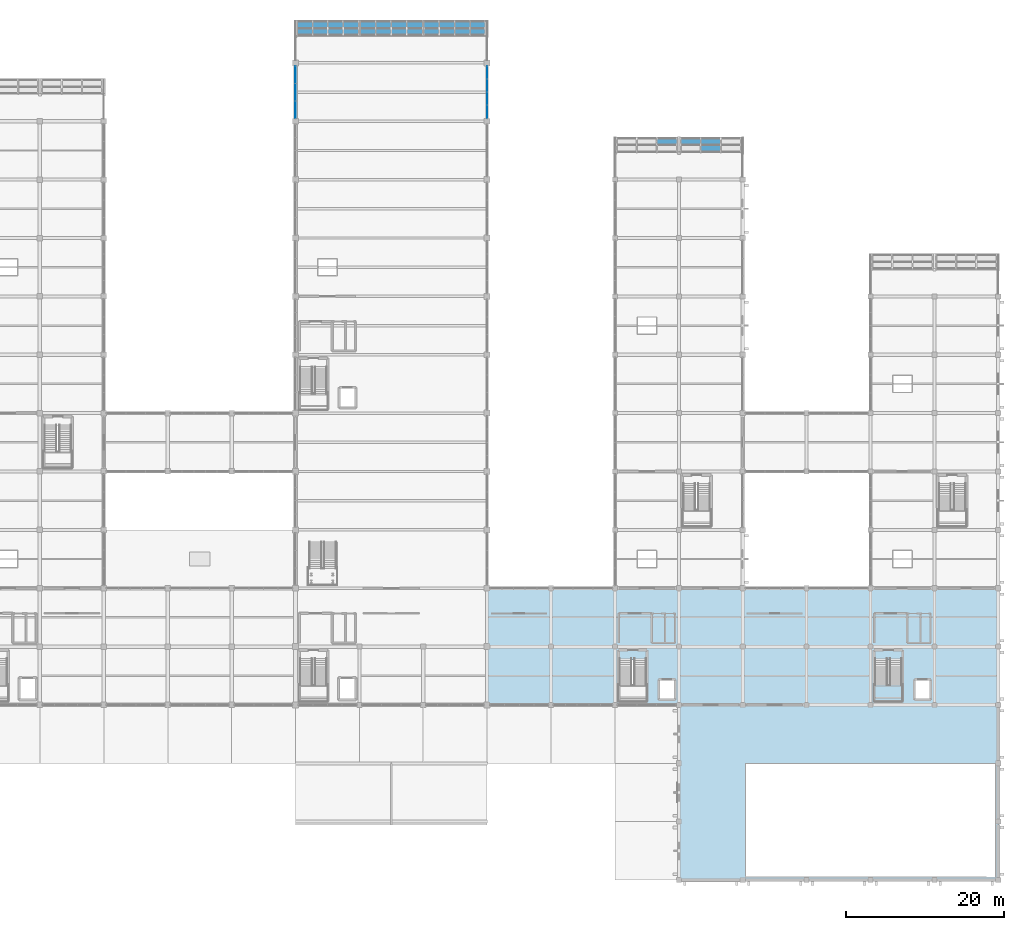
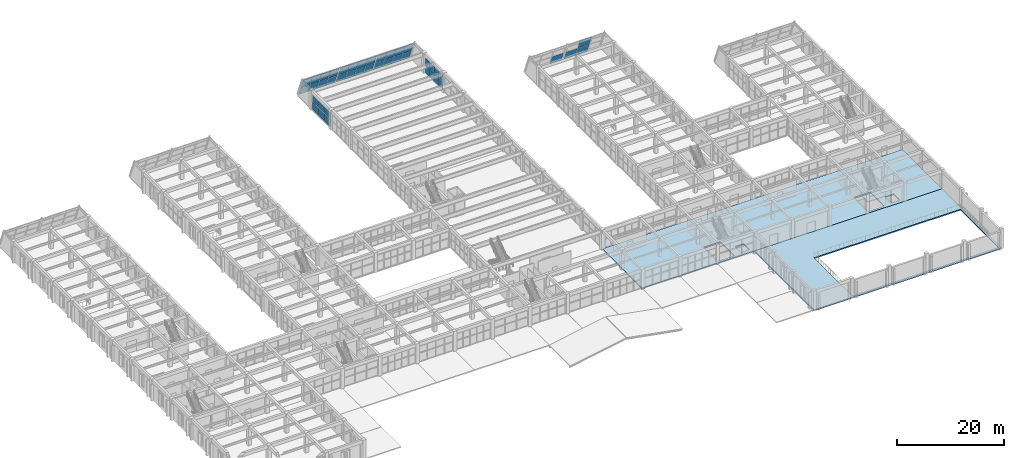
# One storey, part 139 of 161: 42 plates, 3 slabs, 8 elements without a shape of their own.
"""IFC4 building model written with IfcOpenShell, lengths in metres."""

from ifc_helpers import new_model, si_unit, direction, frame, origin, origin_2d, place, context, subcontext, project, spatial, polyline, rectangle, outline, extrude, material, layer, layer_set, type_object, element, aggregate, save


model = new_model("IFC4")

# Units and contexts
model_context = context("Model", 3, precision=1e-05, world=origin(), true_north=direction((0.0, 1.0)))
body_context = subcontext(model_context, "Body", "Model", "MODEL_VIEW")
ifc_project = project(units=[si_unit("LENGTHUNIT", "METRE"), si_unit("AREAUNIT", "SQUARE_METRE"), si_unit("VOLUMEUNIT", "CUBIC_METRE"), si_unit("PLANEANGLEUNIT", "RADIAN"), si_unit("MASSUNIT", "GRAM", prefix="KILO")], contexts=[model_context])

# Site, building, storey
site_placement = place(None, origin())
site = spatial("IfcSite", under=ifc_project, at=site_placement, CompositionType="ELEMENT")
building_placement = place(site_placement, origin())
building = spatial("IfcBuilding", under=site, at=building_placement, Name="Cimatlan Art Gallery", CompositionType="ELEMENT")
storey_placement = place(building_placement, frame((0.0, 0.0, 5.39990234375)))
storey = spatial("IfcBuildingStorey", under=building, at=storey_placement, Name="L01", CompositionType="ELEMENT", Elevation=5.39990234375)

# Curtain wall, plates
ifc_material_1 = material(Name="Anodised bronze unitised curtain wall")
curtain_wall_type_1 = type_object("IfcCurtainWallType", Name="CW-V-06642X03562-B4", PredefinedType="NOTDEFINED", material=ifc_material_1)
curtain_wall_1_placement = place(storey_placement, origin())
curtain_wall_1 = element("IfcCurtainWall", 1, at=curtain_wall_1_placement, inside=storey, type_object=curtain_wall_type_1, Name="CW-L01-11-13-E", PredefinedType="NOTDEFINED")
ifc_material_2 = material(Name="Low-E insulated double glazing", Category="glass")
ifc_layer_1 = layer(ifc_material_2, 0.028076171875)
ifc_layer_set_1 = layer_set([ifc_layer_1], Name="Low-E insulated double glazing")
plate_type_1 = type_object("IfcPlateType", Name="PNL-1603X1383", PredefinedType="CURTAIN_PANEL", material=ifc_layer_set_1)
plate_1_placement = place(storey_placement, frame((99.199951171875, 104.0908203125, 2.05712890625), z_axis=(0.0, 0.0, 1.0), x_axis=(0.0, -1.0, 0.0)))
plate_1 = element("IfcPlate", 2, at=plate_1_placement, type_object=plate_type_1, Name="CW-L01-11-13-E-P12", PredefinedType="CURTAIN_PANEL", context=body_context, shape_type="SweptSolid", body=[
    extrude(rectangle(XDim=1.60302734375, YDim=0.028076171875, at=origin_2d()), origin(), (0.0, 0.0, 1.0), 1.383056640625),
])
plate_2_placement = place(storey_placement, frame((99.199951171875, 102.43017578125, 2.05712890625), z_axis=(0.0, 0.0, 1.0), x_axis=(0.0, -1.0, 0.0)))
plate_2 = element("IfcPlate", 3, at=plate_2_placement, type_object=plate_type_1, Name="CW-L01-11-13-E-P22", PredefinedType="CURTAIN_PANEL", context=body_context, shape_type="SweptSolid", body=[
    extrude(rectangle(XDim=1.60302734375, YDim=0.028076171875, at=origin_2d()), origin(), (0.0, 0.0, 1.0), 1.383056640625),
])
plate_3_placement = place(storey_placement, frame((99.199951171875, 100.769775390625, 2.05712890625), z_axis=(0.0, 0.0, 1.0), x_axis=(0.0, -1.0, 0.0)))
plate_3 = element("IfcPlate", 4, at=plate_3_placement, type_object=plate_type_1, Name="CW-L01-11-13-E-P32", PredefinedType="CURTAIN_PANEL", context=body_context, shape_type="SweptSolid", body=[
    extrude(rectangle(XDim=1.60302734375, YDim=0.028076171875, at=origin_2d()), origin(), (0.0, 0.0, 1.0), 1.383056640625),
])
plate_4_placement = place(storey_placement, frame((99.199951171875, 99.109130859375, 2.05712890625), z_axis=(0.0, 0.0, 1.0), x_axis=(0.0, -1.0, 0.0)))
plate_4 = element("IfcPlate", 5, at=plate_4_placement, type_object=plate_type_1, Name="CW-L01-11-13-E-P42", PredefinedType="CURTAIN_PANEL", context=body_context, shape_type="SweptSolid", body=[
    extrude(rectangle(XDim=1.60302734375, YDim=0.028076171875, at=origin_2d()), origin(), (0.0, 0.0, 1.0), 1.383056640625),
])
ifc_layer_2 = layer(ifc_material_2, 0.028076171875)
ifc_layer_set_2 = layer_set([ifc_layer_2], Name="Low-E insulated double glazing")
plate_type_2 = type_object("IfcPlateType", Name="PNL-1603X1811", PredefinedType="CURTAIN_PANEL", material=ifc_layer_set_2)
plate_5_placement = place(storey_placement, frame((99.199951171875, 104.0908203125, 0.121826171875), z_axis=(0.0, 0.0, 1.0), x_axis=(0.0, -1.0, 0.0)))
plate_5 = element("IfcPlate", 6, at=plate_5_placement, type_object=plate_type_2, Name="CW-L01-11-13-E-P11", PredefinedType="CURTAIN_PANEL", context=body_context, shape_type="SweptSolid", body=[
    extrude(rectangle(XDim=1.60302734375, YDim=0.028076171875, at=origin_2d()), origin(), (0.0, 0.0, 1.0), 1.81103515625),
])
plate_6_placement = place(storey_placement, frame((99.199951171875, 102.43017578125, 0.121826171875), z_axis=(0.0, 0.0, 1.0), x_axis=(0.0, -1.0, 0.0)))
plate_6 = element("IfcPlate", 7, at=plate_6_placement, type_object=plate_type_2, Name="CW-L01-11-13-E-P21", PredefinedType="CURTAIN_PANEL", context=body_context, shape_type="SweptSolid", body=[
    extrude(rectangle(XDim=1.60302734375, YDim=0.028076171875, at=origin_2d()), origin(), (0.0, 0.0, 1.0), 1.81103515625),
])
plate_7_placement = place(storey_placement, frame((99.199951171875, 100.769775390625, 0.121826171875), z_axis=(0.0, 0.0, 1.0), x_axis=(0.0, -1.0, 0.0)))
plate_7 = element("IfcPlate", 8, at=plate_7_placement, type_object=plate_type_2, Name="CW-L01-11-13-E-P31", PredefinedType="CURTAIN_PANEL", context=body_context, shape_type="SweptSolid", body=[
    extrude(rectangle(XDim=1.60302734375, YDim=0.028076171875, at=origin_2d()), origin(), (0.0, 0.0, 1.0), 1.81103515625),
])
plate_8_placement = place(storey_placement, frame((99.199951171875, 99.109130859375, 0.121826171875), z_axis=(0.0, 0.0, 1.0), x_axis=(0.0, -1.0, 0.0)))
plate_8 = element("IfcPlate", 9, at=plate_8_placement, type_object=plate_type_2, Name="CW-L01-11-13-E-P41", PredefinedType="CURTAIN_PANEL", context=body_context, shape_type="SweptSolid", body=[
    extrude(rectangle(XDim=1.60302734375, YDim=0.028076171875, at=origin_2d()), origin(), (0.0, 0.0, 1.0), 1.81103515625),
])
aggregate(curtain_wall_1, [plate_5, plate_1, plate_6, plate_2, plate_7, plate_3, plate_8, plate_4])

curtain_wall_type_2 = type_object("IfcCurtainWallType", Name="CW-V-06642X03562-B3", PredefinedType="NOTDEFINED", material=ifc_material_1)
curtain_wall_2_placement = place(storey_placement, origin())
curtain_wall_2 = element("IfcCurtainWall", 10, at=curtain_wall_2_placement, inside=storey, type_object=curtain_wall_type_2, Name="CW-L01-09-13-W", PredefinedType="NOTDEFINED")
ifc_layer_3 = layer(ifc_material_2, 0.028076171875)
ifc_layer_set_3 = layer_set([ifc_layer_3], Name="Low-E insulated double glazing")
plate_type_3 = type_object("IfcPlateType", Name="PNL-2156X1383", PredefinedType="CURTAIN_PANEL", material=ifc_layer_set_3)
plate_9_placement = place(storey_placement, frame((74.89990234375, 99.385986328125, 2.05712890625), z_axis=(0.0, 0.0, 1.0), x_axis=(0.0, 1.0, 0.0)))
plate_9 = element("IfcPlate", 11, at=plate_9_placement, type_object=plate_type_3, Name="CW-L01-09-13-W-P12", PredefinedType="CURTAIN_PANEL", context=body_context, shape_type="SweptSolid", body=[
    extrude(rectangle(XDim=2.156005859375, YDim=0.028076171875, at=origin_2d()), origin(), (0.0, 0.0, 1.0), 1.383056640625),
])
plate_10_placement = place(storey_placement, frame((74.89990234375, 101.60009765625, 2.05712890625), z_axis=(0.0, 0.0, 1.0), x_axis=(0.0, 1.0, 0.0)))
plate_10 = element("IfcPlate", 12, at=plate_10_placement, type_object=plate_type_3, Name="CW-L01-09-13-W-P22", PredefinedType="CURTAIN_PANEL", context=body_context, shape_type="SweptSolid", body=[
    extrude(rectangle(XDim=2.156005859375, YDim=0.028076171875, at=origin_2d()), origin(), (0.0, 0.0, 1.0), 1.383056640625),
])
plate_11_placement = place(storey_placement, frame((74.89990234375, 103.81396484375, 2.05712890625), z_axis=(0.0, 0.0, 1.0), x_axis=(0.0, 1.0, 0.0)))
plate_11 = element("IfcPlate", 13, at=plate_11_placement, type_object=plate_type_3, Name="CW-L01-09-13-W-P32", PredefinedType="CURTAIN_PANEL", context=body_context, shape_type="SweptSolid", body=[
    extrude(rectangle(XDim=2.156005859375, YDim=0.028076171875, at=origin_2d()), origin(), (0.0, 0.0, 1.0), 1.383056640625),
])
ifc_layer_4 = layer(ifc_material_2, 0.028076171875)
ifc_layer_set_4 = layer_set([ifc_layer_4], Name="Low-E insulated double glazing")
plate_type_4 = type_object("IfcPlateType", Name="PNL-2156X1811", PredefinedType="CURTAIN_PANEL", material=ifc_layer_set_4)
plate_12_placement = place(storey_placement, frame((74.89990234375, 99.385986328125, 0.121826171875), z_axis=(0.0, 0.0, 1.0), x_axis=(0.0, 1.0, 0.0)))
plate_12 = element("IfcPlate", 14, at=plate_12_placement, type_object=plate_type_4, Name="CW-L01-09-13-W-P11", PredefinedType="CURTAIN_PANEL", context=body_context, shape_type="SweptSolid", body=[
    extrude(rectangle(XDim=2.156005859375, YDim=0.028076171875, at=origin_2d()), origin(), (0.0, 0.0, 1.0), 1.81103515625),
])
plate_13_placement = place(storey_placement, frame((74.89990234375, 101.60009765625, 0.121826171875), z_axis=(0.0, 0.0, 1.0), x_axis=(0.0, 1.0, 0.0)))
plate_13 = element("IfcPlate", 15, at=plate_13_placement, type_object=plate_type_4, Name="CW-L01-09-13-W-P21", PredefinedType="CURTAIN_PANEL", context=body_context, shape_type="SweptSolid", body=[
    extrude(rectangle(XDim=2.156005859375, YDim=0.028076171875, at=origin_2d()), origin(), (0.0, 0.0, 1.0), 1.81103515625),
])
plate_14_placement = place(storey_placement, frame((74.89990234375, 103.81396484375, 0.121826171875), z_axis=(0.0, 0.0, 1.0), x_axis=(0.0, 1.0, 0.0)))
plate_14 = element("IfcPlate", 16, at=plate_14_placement, type_object=plate_type_4, Name="CW-L01-09-13-W-P31", PredefinedType="CURTAIN_PANEL", context=body_context, shape_type="SweptSolid", body=[
    extrude(rectangle(XDim=2.156005859375, YDim=0.028076171875, at=origin_2d()), origin(), (0.0, 0.0, 1.0), 1.81103515625),
])
aggregate(curtain_wall_2, [plate_12, plate_9, plate_13, plate_10, plate_14, plate_11])

ifc_material_3 = material(Name="Raked steel-and-bronze lancet curtain wall", Category="steel")
curtain_wall_type_3 = type_object("IfcCurtainWallType", Name="CW-RAK-07790X04901-B4", PredefinedType="NOTDEFINED", material=ifc_material_3)
curtain_wall_3_placement = place(storey_placement, origin())
curtain_wall_3 = element("IfcCurtainWall", 17, at=curtain_wall_3_placement, inside=storey, type_object=curtain_wall_type_3, Name="CW-PROW-L01-B3-9", PredefinedType="NOTDEFINED")
ifc_material_4 = material(Name="Low-E laminated skylight safety glazing", Category="glass")
ifc_layer_5 = layer(ifc_material_4, 0.031982421875)
ifc_layer_set_5 = layer_set([ifc_layer_5], Name="Low-E laminated skylight safety glazing")
plate_type_5 = type_object("IfcPlateType", Name="PNL-RAK-1907X2352", PredefinedType="CURTAIN_PANEL", material=ifc_layer_set_5)
plate_15_placement = place(storey_placement, frame((75.140380859375, 110.5458984375, 0.068603515625), z_axis=(0.0, 0.930431985876, 0.366464622658), x_axis=(1.0, 0.0, 0.0)))
plate_15 = element("IfcPlate", 18, at=plate_15_placement, type_object=plate_type_5, Name="CW-PROW-L01-B3-9-P11", PredefinedType="CURTAIN_PANEL", context=body_context, shape_type="SweptSolid", body=[
    extrude(outline(polyline([(0.0, 0.0), (1.906982421875, 0.0), (1.906982421875, -2.352370443354196), (0.0, -2.352370443354196), (0.0, 0.0)])), origin(), (0.0, 0.0, -1.0), 0.031982421875),
])
plate_16_placement = place(storey_placement, frame((75.140380859375, 109.665771484375, 2.302978515625), z_axis=(0.0, 0.930431985876, 0.366464622658), x_axis=(1.0, 0.0, 0.0)))
plate_16 = element("IfcPlate", 19, at=plate_16_placement, type_object=plate_type_5, Name="CW-PROW-L01-B3-9-P12", PredefinedType="CURTAIN_PANEL", context=body_context, shape_type="SweptSolid", body=[
    extrude(outline(polyline([(0.0, 0.0), (1.906982421875, 0.0), (1.906982421875, -2.352370443354196), (0.0, -2.352370443354196), (0.0, 0.0)])), origin(), (0.0, 0.0, -1.0), 0.031982421875),
])
plate_17_placement = place(storey_placement, frame((77.087890625, 110.5458984375, 0.068603515625), z_axis=(0.0, 0.930431985876, 0.366464622658), x_axis=(1.0, 0.0, 0.0)))
plate_17 = element("IfcPlate", 20, at=plate_17_placement, type_object=plate_type_5, Name="CW-PROW-L01-B3-9-P21", PredefinedType="CURTAIN_PANEL", context=body_context, shape_type="SweptSolid", body=[
    extrude(outline(polyline([(0.0, 0.0), (1.906982421875, 0.0), (1.906982421875, -2.352370443354196), (0.0, -2.352370443354196), (0.0, 0.0)])), origin(), (0.0, 0.0, -1.0), 0.031982421875),
])
plate_18_placement = place(storey_placement, frame((77.087890625, 109.665771484375, 2.302978515625), z_axis=(0.0, 0.930431985876, 0.366464622658), x_axis=(1.0, 0.0, 0.0)))
plate_18 = element("IfcPlate", 21, at=plate_18_placement, type_object=plate_type_5, Name="CW-PROW-L01-B3-9-P22", PredefinedType="CURTAIN_PANEL", context=body_context, shape_type="SweptSolid", body=[
    extrude(outline(polyline([(0.0, 0.0), (1.906982421875, 0.0), (1.906982421875, -2.352370443354196), (0.0, -2.352370443354196), (0.0, 0.0)])), origin(), (0.0, 0.0, -1.0), 0.031982421875),
])
plate_19_placement = place(storey_placement, frame((79.035400390625, 110.5458984375, 0.068603515625), z_axis=(0.0, 0.930431985876, 0.366464622658), x_axis=(1.0, 0.0, 0.0)))
plate_19 = element("IfcPlate", 22, at=plate_19_placement, type_object=plate_type_5, Name="CW-PROW-L01-B3-9-P31", PredefinedType="CURTAIN_PANEL", context=body_context, shape_type="SweptSolid", body=[
    extrude(outline(polyline([(0.0, 0.0), (1.906982421875, 0.0), (1.906982421875, -2.352370443354196), (0.0, -2.352370443354196), (0.0, 0.0)])), origin(), (0.0, 0.0, -1.0), 0.031982421875),
])
plate_20_placement = place(storey_placement, frame((79.035400390625, 109.665771484375, 2.302978515625), z_axis=(0.0, 0.930431985876, 0.366464622658), x_axis=(1.0, 0.0, 0.0)))
plate_20 = element("IfcPlate", 23, at=plate_20_placement, type_object=plate_type_5, Name="CW-PROW-L01-B3-9-P32", PredefinedType="CURTAIN_PANEL", context=body_context, shape_type="SweptSolid", body=[
    extrude(outline(polyline([(0.0, 0.0), (1.906982421875, 0.0), (1.906982421875, -2.352370443354196), (0.0, -2.352370443354196), (0.0, 0.0)])), origin(), (0.0, 0.0, -1.0), 0.031982421875),
])
plate_21_placement = place(storey_placement, frame((80.98291015625, 110.5458984375, 0.068603515625), z_axis=(0.0, 0.930431985876, 0.366464622658), x_axis=(1.0, 0.0, 0.0)))
plate_21 = element("IfcPlate", 24, at=plate_21_placement, type_object=plate_type_5, Name="CW-PROW-L01-B3-9-P41", PredefinedType="CURTAIN_PANEL", context=body_context, shape_type="SweptSolid", body=[
    extrude(outline(polyline([(0.0, 0.0), (1.906982421875, 0.0), (1.906982421875, -2.352370443354196), (0.0, -2.352370443354196), (0.0, 0.0)])), origin(), (0.0, 0.0, -1.0), 0.031982421875),
])
plate_22_placement = place(storey_placement, frame((80.98291015625, 109.665771484375, 2.302978515625), z_axis=(0.0, 0.930431985876, 0.366464622658), x_axis=(1.0, 0.0, 0.0)))
plate_22 = element("IfcPlate", 25, at=plate_22_placement, type_object=plate_type_5, Name="CW-PROW-L01-B3-9-P42", PredefinedType="CURTAIN_PANEL", context=body_context, shape_type="SweptSolid", body=[
    extrude(outline(polyline([(0.0, 0.0), (1.906982421875, 0.0), (1.906982421875, -2.352370443354196), (0.0, -2.352370443354196), (0.0, 0.0)])), origin(), (0.0, 0.0, -1.0), 0.031982421875),
])
aggregate(curtain_wall_3, [plate_15, plate_16, plate_17, plate_18, plate_19, plate_20, plate_21, plate_22])

curtain_wall_4_placement = place(storey_placement, origin())
curtain_wall_4 = element("IfcCurtainWall", 26, at=curtain_wall_4_placement, inside=storey, type_object=curtain_wall_type_3, Name="CW-PROW-L01-B3-11", PredefinedType="NOTDEFINED")
plate_23_placement = place(storey_placement, frame((91.210205078125, 110.5458984375, 0.068603515625), z_axis=(0.0, 0.930431985876, 0.366464622658), x_axis=(1.0, 0.0, 0.0)))
plate_23 = element("IfcPlate", 27, at=plate_23_placement, type_object=plate_type_5, Name="CW-PROW-L01-B3-11-P11", PredefinedType="CURTAIN_PANEL", context=body_context, shape_type="SweptSolid", body=[
    extrude(outline(polyline([(0.0, 0.0), (1.906982421875, 0.0), (1.906982421875, -2.352370443354196), (0.0, -2.352370443354196), (0.0, 0.0)])), origin(), (0.0, 0.0, -1.0), 0.031982421875),
])
plate_24_placement = place(storey_placement, frame((91.210205078125, 109.665771484375, 2.302978515625), z_axis=(0.0, 0.930431985876, 0.366464622658), x_axis=(1.0, 0.0, 0.0)))
plate_24 = element("IfcPlate", 28, at=plate_24_placement, type_object=plate_type_5, Name="CW-PROW-L01-B3-11-P12", PredefinedType="CURTAIN_PANEL", context=body_context, shape_type="SweptSolid", body=[
    extrude(outline(polyline([(0.0, 0.0), (1.906982421875, 0.0), (1.906982421875, -2.352370443354196), (0.0, -2.352370443354196), (0.0, 0.0)])), origin(), (0.0, 0.0, -1.0), 0.031982421875),
])
plate_25_placement = place(storey_placement, frame((93.15771484375, 110.5458984375, 0.068603515625), z_axis=(0.0, 0.930431985876, 0.366464622658), x_axis=(1.0, 0.0, 0.0)))
plate_25 = element("IfcPlate", 29, at=plate_25_placement, type_object=plate_type_5, Name="CW-PROW-L01-B3-11-P21", PredefinedType="CURTAIN_PANEL", context=body_context, shape_type="SweptSolid", body=[
    extrude(outline(polyline([(0.0, 0.0), (1.906982421875, 0.0), (1.906982421875, -2.352370443354196), (0.0, -2.352370443354196), (0.0, 0.0)])), origin(), (0.0, 0.0, -1.0), 0.031982421875),
])
plate_26_placement = place(storey_placement, frame((93.15771484375, 109.665771484375, 2.302978515625), z_axis=(0.0, 0.930431985876, 0.366464622658), x_axis=(1.0, 0.0, 0.0)))
plate_26 = element("IfcPlate", 30, at=plate_26_placement, type_object=plate_type_5, Name="CW-PROW-L01-B3-11-P22", PredefinedType="CURTAIN_PANEL", context=body_context, shape_type="SweptSolid", body=[
    extrude(outline(polyline([(0.0, 0.0), (1.906982421875, 0.0), (1.906982421875, -2.352370443354196), (0.0, -2.352370443354196), (0.0, 0.0)])), origin(), (0.0, 0.0, -1.0), 0.031982421875),
])
plate_27_placement = place(storey_placement, frame((95.105224609375, 110.5458984375, 0.068603515625), z_axis=(0.0, 0.930431985876, 0.366464622658), x_axis=(1.0, 0.0, 0.0)))
plate_27 = element("IfcPlate", 31, at=plate_27_placement, type_object=plate_type_5, Name="CW-PROW-L01-B3-11-P31", PredefinedType="CURTAIN_PANEL", context=body_context, shape_type="SweptSolid", body=[
    extrude(outline(polyline([(0.0, 0.0), (1.906982421875, 0.0), (1.906982421875, -2.352370443354196), (0.0, -2.352370443354196), (0.0, 0.0)])), origin(), (0.0, 0.0, -1.0), 0.031982421875),
])
plate_28_placement = place(storey_placement, frame((95.105224609375, 109.665771484375, 2.302978515625), z_axis=(0.0, 0.930431985876, 0.366464622658), x_axis=(1.0, 0.0, 0.0)))
plate_28 = element("IfcPlate", 32, at=plate_28_placement, type_object=plate_type_5, Name="CW-PROW-L01-B3-11-P32", PredefinedType="CURTAIN_PANEL", context=body_context, shape_type="SweptSolid", body=[
    extrude(outline(polyline([(0.0, 0.0), (1.906982421875, 0.0), (1.906982421875, -2.352370443354196), (0.0, -2.352370443354196), (0.0, 0.0)])), origin(), (0.0, 0.0, -1.0), 0.031982421875),
])
plate_29_placement = place(storey_placement, frame((97.052734375, 110.5458984375, 0.068603515625), z_axis=(0.0, 0.930431985876, 0.366464622658), x_axis=(1.0, 0.0, 0.0)))
plate_29 = element("IfcPlate", 33, at=plate_29_placement, type_object=plate_type_5, Name="CW-PROW-L01-B3-11-P41", PredefinedType="CURTAIN_PANEL", context=body_context, shape_type="SweptSolid", body=[
    extrude(outline(polyline([(0.0, 0.0), (1.906982421875, 0.0), (1.906982421875, -2.352370443354196), (0.0, -2.352370443354196), (0.0, 0.0)])), origin(), (0.0, 0.0, -1.0), 0.031982421875),
])
plate_30_placement = place(storey_placement, frame((97.052734375, 109.665771484375, 2.302978515625), z_axis=(0.0, 0.930431985876, 0.366464622658), x_axis=(1.0, 0.0, 0.0)))
plate_30 = element("IfcPlate", 34, at=plate_30_placement, type_object=plate_type_5, Name="CW-PROW-L01-B3-11-P42", PredefinedType="CURTAIN_PANEL", context=body_context, shape_type="SweptSolid", body=[
    extrude(outline(polyline([(0.0, 0.0), (1.906982421875, 0.0), (1.906982421875, -2.352370443354196), (0.0, -2.352370443354196), (0.0, 0.0)])), origin(), (0.0, 0.0, -1.0), 0.031982421875),
])
aggregate(curtain_wall_4, [plate_23, plate_24, plate_25, plate_26, plate_27, plate_28, plate_29, plate_30])

curtain_wall_type_4 = type_object("IfcCurtainWallType", Name="CW-RAK-07920X04901-B4", PredefinedType="NOTDEFINED", material=ifc_material_3)
curtain_wall_5_placement = place(storey_placement, origin())
curtain_wall_5 = element("IfcCurtainWall", 35, at=curtain_wall_5_placement, inside=storey, type_object=curtain_wall_type_4, Name="CW-PROW-L01-B3-10", PredefinedType="NOTDEFINED")
ifc_layer_6 = layer(ifc_material_4, 0.031982421875)
ifc_layer_set_6 = layer_set([ifc_layer_6], Name="Low-E laminated skylight safety glazing")
plate_type_6 = type_object("IfcPlateType", Name="PNL-RAK-1940X2352", PredefinedType="CURTAIN_PANEL", material=ifc_layer_set_6)
plate_31_placement = place(storey_placement, frame((83.110107421875, 110.5458984375, 0.068603515625), z_axis=(0.0, 0.930431985876, 0.366464622658), x_axis=(1.0, 0.0, 0.0)))
plate_31 = element("IfcPlate", 36, at=plate_31_placement, type_object=plate_type_6, Name="CW-PROW-L01-B3-10-P11", PredefinedType="CURTAIN_PANEL", context=body_context, shape_type="SweptSolid", body=[
    extrude(outline(polyline([(0.0, 0.0), (1.93994140625, 0.0), (1.93994140625, -2.3523704433541965), (0.0, -2.3523704433541965), (0.0, 0.0)])), origin(), (0.0, 0.0, -1.0), 0.031982421875),
])
plate_32_placement = place(storey_placement, frame((83.110107421875, 109.665771484375, 2.302978515625), z_axis=(0.0, 0.930431985876, 0.366464622658), x_axis=(1.0, 0.0, 0.0)))
plate_32 = element("IfcPlate", 37, at=plate_32_placement, type_object=plate_type_6, Name="CW-PROW-L01-B3-10-P12", PredefinedType="CURTAIN_PANEL", context=body_context, shape_type="SweptSolid", body=[
    extrude(outline(polyline([(0.0, 0.0), (1.93994140625, 0.0), (1.93994140625, -2.3523704433541965), (0.0, -2.3523704433541965), (0.0, 0.0)])), origin(), (0.0, 0.0, -1.0), 0.031982421875),
])
plate_33_placement = place(storey_placement, frame((85.090087890625, 110.5458984375, 0.068603515625), z_axis=(0.0, 0.930431985876, 0.366464622658), x_axis=(1.0, 0.0, 0.0)))
plate_33 = element("IfcPlate", 38, at=plate_33_placement, type_object=plate_type_6, Name="CW-PROW-L01-B3-10-P21", PredefinedType="CURTAIN_PANEL", context=body_context, shape_type="SweptSolid", body=[
    extrude(outline(polyline([(0.0, 0.0), (1.93994140625, 0.0), (1.93994140625, -2.3523704433541965), (0.0, -2.3523704433541965), (0.0, 0.0)])), origin(), (0.0, 0.0, -1.0), 0.031982421875),
])
plate_34_placement = place(storey_placement, frame((85.090087890625, 109.665771484375, 2.302978515625), z_axis=(0.0, 0.930431985876, 0.366464622658), x_axis=(1.0, 0.0, 0.0)))
plate_34 = element("IfcPlate", 39, at=plate_34_placement, type_object=plate_type_6, Name="CW-PROW-L01-B3-10-P22", PredefinedType="CURTAIN_PANEL", context=body_context, shape_type="SweptSolid", body=[
    extrude(outline(polyline([(0.0, 0.0), (1.93994140625, 0.0), (1.93994140625, -2.3523704433541965), (0.0, -2.3523704433541965), (0.0, 0.0)])), origin(), (0.0, 0.0, -1.0), 0.031982421875),
])
plate_35_placement = place(storey_placement, frame((87.070068359375, 110.5458984375, 0.068603515625), z_axis=(0.0, 0.930431985876, 0.366464622658), x_axis=(1.0, 0.0, 0.0)))
plate_35 = element("IfcPlate", 40, at=plate_35_placement, type_object=plate_type_6, Name="CW-PROW-L01-B3-10-P31", PredefinedType="CURTAIN_PANEL", context=body_context, shape_type="SweptSolid", body=[
    extrude(outline(polyline([(0.0, 0.0), (1.93994140625, 0.0), (1.93994140625, -2.3523704433541965), (0.0, -2.3523704433541965), (0.0, 0.0)])), origin(), (0.0, 0.0, -1.0), 0.031982421875),
])
plate_36_placement = place(storey_placement, frame((87.070068359375, 109.665771484375, 2.302978515625), z_axis=(0.0, 0.930431985876, 0.366464622658), x_axis=(1.0, 0.0, 0.0)))
plate_36 = element("IfcPlate", 41, at=plate_36_placement, type_object=plate_type_6, Name="CW-PROW-L01-B3-10-P32", PredefinedType="CURTAIN_PANEL", context=body_context, shape_type="SweptSolid", body=[
    extrude(outline(polyline([(0.0, 0.0), (1.93994140625, 0.0), (1.93994140625, -2.3523704433541965), (0.0, -2.3523704433541965), (0.0, 0.0)])), origin(), (0.0, 0.0, -1.0), 0.031982421875),
])
plate_37_placement = place(storey_placement, frame((89.050048828125, 110.5458984375, 0.068603515625), z_axis=(0.0, 0.930431985876, 0.366464622658), x_axis=(1.0, 0.0, 0.0)))
plate_37 = element("IfcPlate", 42, at=plate_37_placement, type_object=plate_type_6, Name="CW-PROW-L01-B3-10-P41", PredefinedType="CURTAIN_PANEL", context=body_context, shape_type="SweptSolid", body=[
    extrude(outline(polyline([(0.0, 0.0), (1.93994140625, 0.0), (1.93994140625, -2.3523704433541965), (0.0, -2.3523704433541965), (0.0, 0.0)])), origin(), (0.0, 0.0, -1.0), 0.031982421875),
])
plate_38_placement = place(storey_placement, frame((89.050048828125, 109.665771484375, 2.302978515625), z_axis=(0.0, 0.930431985876, 0.366464622658), x_axis=(1.0, 0.0, 0.0)))
plate_38 = element("IfcPlate", 43, at=plate_38_placement, type_object=plate_type_6, Name="CW-PROW-L01-B3-10-P42", PredefinedType="CURTAIN_PANEL", context=body_context, shape_type="SweptSolid", body=[
    extrude(outline(polyline([(0.0, 0.0), (1.93994140625, 0.0), (1.93994140625, -2.3523704433541965), (0.0, -2.3523704433541965), (0.0, 0.0)])), origin(), (0.0, 0.0, -1.0), 0.031982421875),
])
aggregate(curtain_wall_5, [plate_31, plate_32, plate_33, plate_34, plate_35, plate_36, plate_37, plate_38])

# Curtain wall, plate
curtain_wall_type_5 = type_object("IfcCurtainWallType", Name="CW-RAK-07660X04901-B3", PredefinedType="NOTDEFINED", material=ifc_material_3)
curtain_wall_6_placement = place(storey_placement, origin())
curtain_wall_6 = element("IfcCurtainWall", 44, at=curtain_wall_6_placement, inside=storey, type_object=curtain_wall_type_5, Name="CW-PROW-L01-B4-14", PredefinedType="NOTDEFINED")
ifc_layer_7 = layer(ifc_material_4, 0.031982421875)
ifc_layer_set_7 = layer_set([ifc_layer_7], Name="Low-E laminated skylight safety glazing")
plate_type_7 = type_object("IfcPlateType", Name="PNL-RAK-2513X2352", PredefinedType="CURTAIN_PANEL", material=ifc_layer_set_7)
plate_39_placement = place(storey_placement, frame((120.746826171875, 95.74609375, 0.068603515625), z_axis=(0.0, 0.930396595291, 0.366554464536), x_axis=(1.0, 0.0, 0.0)))
plate_39 = element("IfcPlate", 45, at=plate_39_placement, type_object=plate_type_7, Name="CW-PROW-L01-B4-14-P31", PredefinedType="CURTAIN_PANEL", context=body_context, shape_type="SweptSolid", body=[
    extrude(outline(polyline([(0.0, 0.0), (2.512939453125, 0.0), (2.512939453125, -2.352459923223447), (0.0, -2.352459923223447), (0.0, 0.0)])), origin(), (0.0, 0.0, -1.0), 0.031982421875),
])
aggregate(curtain_wall_6, [plate_39])

# Curtain wall, plates
curtain_wall_7_placement = place(storey_placement, origin())
curtain_wall_7 = element("IfcCurtainWall", 46, at=curtain_wall_7_placement, inside=storey, type_object=curtain_wall_type_5, Name="CW-PROW-L01-B4-15", PredefinedType="NOTDEFINED")
plate_40_placement = place(storey_placement, frame((123.740234375, 95.74609375, 0.068603515625), z_axis=(0.0, 0.930396595291, 0.366554464536), x_axis=(1.0, 0.0, 0.0)))
plate_40 = element("IfcPlate", 47, at=plate_40_placement, type_object=plate_type_7, Name="CW-PROW-L01-B4-15-P11", PredefinedType="CURTAIN_PANEL", context=body_context, shape_type="SweptSolid", body=[
    extrude(outline(polyline([(0.0, 0.0), (2.512939453125, 0.0), (2.512939453125, -2.352459923223447), (0.0, -2.352459923223447), (0.0, 0.0)])), origin(), (0.0, 0.0, -1.0), 0.031982421875),
])
plate_41_placement = place(storey_placement, frame((126.29345703125, 95.74609375, 0.068603515625), z_axis=(0.0, 0.930396595291, 0.366554464536), x_axis=(1.0, 0.0, 0.0)))
plate_41 = element("IfcPlate", 48, at=plate_41_placement, type_object=plate_type_7, Name="CW-PROW-L01-B4-15-P21", PredefinedType="CURTAIN_PANEL", context=body_context, shape_type="SweptSolid", body=[
    extrude(outline(polyline([(0.0, 0.0), (2.512939453125, 0.0), (2.512939453125, -2.352459923223447), (0.0, -2.352459923223447), (0.0, 0.0)])), origin(), (0.0, 0.0, -1.0), 0.031982421875),
])
plate_42_placement = place(storey_placement, frame((126.29345703125, 94.86572265625, 2.302978515625), z_axis=(0.0, 0.930431985876, 0.366464622658), x_axis=(1.0, 0.0, 0.0)))
plate_42 = element("IfcPlate", 49, at=plate_42_placement, type_object=plate_type_7, Name="CW-PROW-L01-B4-15-P22", PredefinedType="CURTAIN_PANEL", context=body_context, shape_type="SweptSolid", body=[
    extrude(outline(polyline([(0.0, 0.0), (2.512939453125, 0.0), (2.512939453125, -2.3523704433541965), (0.0, -2.3523704433541965), (0.0, 0.0)])), origin(), (0.0, 0.0, -1.0), 0.031982421875),
])
aggregate(curtain_wall_7, [plate_40, plate_41, plate_42])

# Slabs
ifc_material_5 = material(Name="Concrete C35/45", Category="concrete")
ifc_layer_8 = layer(ifc_material_5, 0.264892578125)
ifc_layer_set_8 = layer_set([ifc_layer_8], Name="Concrete C35/45")
slab_type_1 = type_object("IfcSlabType", Name="SLB-FLR-L01", PredefinedType="FLOOR", material=ifc_layer_set_8)
slab_1_placement = place(storey_placement, frame((0.0, 0.0, -0.264892578125)))
element("IfcSlab", 50, at=slab_1_placement, inside=storey, type_object=slab_type_1, Name="SLB-L01-SPE", PredefinedType="FLOOR", context=body_context, shape_type="SweptSolid", body=[
    extrude(outline(polyline([(99.199951171875, 23.89990234375), (164.0, 23.89990234375), (164.0, 38.699951171875), (99.199951171875, 38.699951171875), (99.199951171875, 23.89990234375)]), holes=[polyline([(115.89990234375, 24.419921875), (119.419921875, 24.419921875), (119.419921875, 29.64990234375), (115.89990234375, 29.64990234375), (115.89990234375, 24.419921875)]), polyline([(121.110107421875, 24.7099609375), (122.889892578125, 24.7099609375), (122.889892578125, 26.989990234375), (121.110107421875, 26.989990234375), (121.110107421875, 24.7099609375)]), polyline([(148.300048828125, 24.419921875), (151.820068359375, 24.419921875), (151.820068359375, 29.64990234375), (148.300048828125, 29.64990234375), (148.300048828125, 24.419921875)]), polyline([(153.510009765625, 24.7099609375), (155.2900390625, 24.7099609375), (155.2900390625, 26.989990234375), (153.510009765625, 26.989990234375), (153.510009765625, 24.7099609375)])]), origin(), (0.0, 0.0, 1.0), 0.264892578125),
])
slab_2_placement = place(storey_placement, frame((0.0, 0.0, -0.264892578125)))
element("IfcSlab", 51, at=slab_2_placement, inside=storey, type_object=slab_type_1, Name="SLB-L01-AUD", PredefinedType="FLOOR", context=body_context, shape_type="SweptSolid", body=[
    extrude(outline(polyline([(123.5, 1.699951171875), (164.0, 1.699951171875), (164.0, 23.89990234375), (123.5, 23.89990234375), (123.5, 1.699951171875)]), holes=[polyline([(132.0, 2.10009765625), (163.60009765625, 2.10009765625), (163.60009765625, 16.39990234375), (132.0, 16.39990234375), (132.0, 2.10009765625)])]), origin(), (0.0, 0.0, 1.0), 0.264892578125),
])

# Stair, slab
stair_type = type_object("IfcStairType", Name="STR-HALF-155-480", PredefinedType="HALF_TURN_STAIR", material=ifc_material_5)
stair_placement = place(storey_placement, origin())
stair = element("IfcStair", 52, at=stair_placement, inside=storey, type_object=stair_type, Name="STR-C5-L01", PredefinedType="HALF_TURN_STAIR")
ifc_layer_9 = layer(ifc_material_5, 0.219970703125)
ifc_layer_set_9 = layer_set([ifc_layer_9], Name="Concrete C35/45")
slab_type_2 = type_object("IfcSlabType", Name="SLB-STAIR-LAND-220", PredefinedType="LANDING", material=ifc_layer_set_9)
slab_3_placement = place(storey_placement, frame((0.0, 0.0, 2.18017578125)))
slab_3 = element("IfcSlab", 53, at=slab_3_placement, type_object=slab_type_2, Name="STR-C5-L01-LND", PredefinedType="LANDING", context=body_context, shape_type="SweptSolid", body=[
    extrude(outline(polyline([(148.14990234375, 24.25), (151.93994140625, 24.25), (151.93994140625, 26.550048828125), (148.14990234375, 26.550048828125), (148.14990234375, 24.25)])), origin(), (0.0, 0.0, 1.0), 0.219970703125),
])
aggregate(stair, [slab_3])

save(model, "model.ifc")
